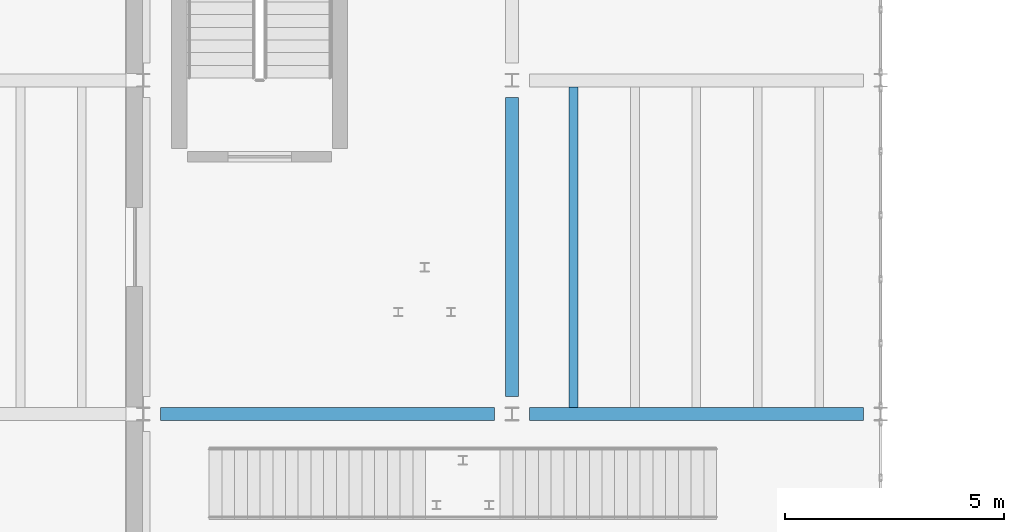
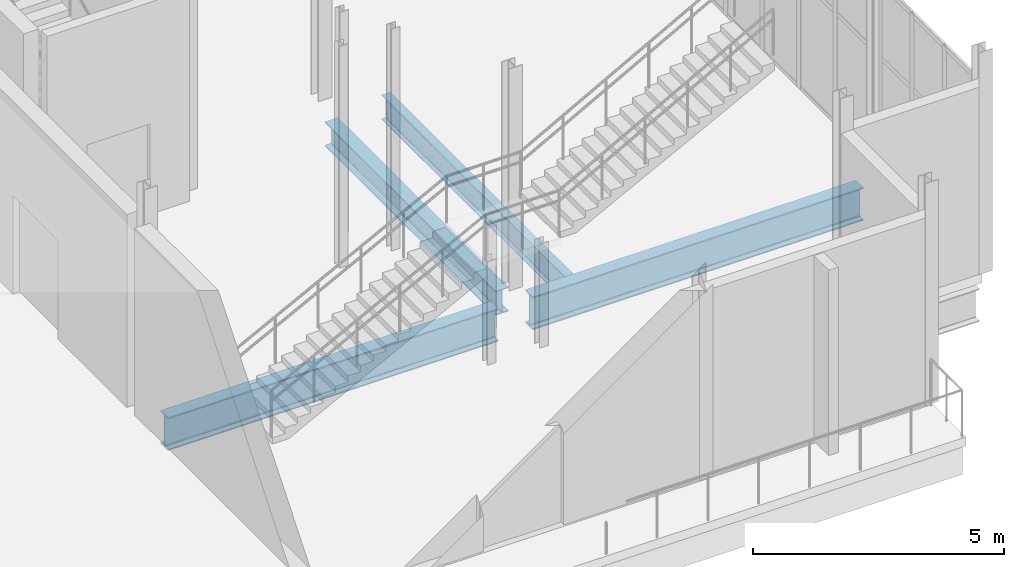
# One storey, part 27 of 95: 4 beams.
"""IFC4 building model written with IfcOpenShell, lengths in metres."""

from ifc_helpers import new_model, si_unit, direction, frame, origin, origin_2d, place, context, subcontext, project, spatial, i_section, extrude, material, material_profile, profile_set, type_object, element, save


model = new_model("IFC4")

# Units and contexts
model_context = context("Model", 3, precision=1e-05, world=origin(), true_north=direction((0.0, 1.0)))
body_context = subcontext(model_context, "Body", "Model", "MODEL_VIEW")
ifc_project = project(units=[si_unit("LENGTHUNIT", "METRE"), si_unit("AREAUNIT", "SQUARE_METRE"), si_unit("VOLUMEUNIT", "CUBIC_METRE"), si_unit("PLANEANGLEUNIT", "RADIAN"), si_unit("MASSUNIT", "GRAM", prefix="KILO")], contexts=[model_context])

# Site, building, storey
site_placement = place(None, origin())
site = spatial("IfcSite", under=ifc_project, at=site_placement, CompositionType="ELEMENT")
building_placement = place(site_placement, origin())
building = spatial("IfcBuilding", under=site, at=building_placement, Name="Shengluoqiao Park Theatre", CompositionType="ELEMENT")
storey_placement = place(building_placement, origin())
storey = spatial("IfcBuildingStorey", under=building, at=storey_placement, Name="L00", CompositionType="ELEMENT", Elevation=0.0)

# Beams
ifc_material_1 = material(Name="Steel Q355", Category="steel")
ifc_material_profile_1 = material_profile(ifc_material_1, i_section(OverallWidth=0.300048828125, OverallDepth=0.587890625, WebThickness=0.011962890625, FlangeThickness=0.02001953125, FilletRadius=0.02392578125, at=origin_2d()), Name="HM 588x300x12x20")
ifc_profile_set_1 = profile_set([ifc_material_profile_1], Name="Steel Q355")
beam_type_1 = type_object("IfcBeamType", Name="STR-BM-G-HM588", PredefinedType="BEAM", material=ifc_profile_set_1)
beam_1_placement = place(storey_placement, frame((36.0, 7.993896484375, -0.634033203125), z_axis=(0.0, 1.0, 0.0), x_axis=(-1.0, 0.0, 0.0)))
element("IfcBeam", 1, at=beam_1_placement, inside=storey, type_object=beam_type_1, Name="L00 Transverse Girder 00213", PredefinedType="BEAM", context=body_context, shape_type="SweptSolid", body=[
    extrude(i_section(OverallWidth=0.300048828125, OverallDepth=0.587890625, WebThickness=0.011962890625, FlangeThickness=0.02001953125, FilletRadius=0.02392578125, at=origin_2d()), origin(), (0.0, 0.0, 1.0), 6.81201171875),
])
ifc_material_2 = material(Name="Steel Q390", Category="steel")
ifc_material_profile_2 = material_profile(ifc_material_2, i_section(OverallWidth=0.300048828125, OverallDepth=0.800048828125, WebThickness=0.013916015625, FlangeThickness=0.02587890625, FilletRadius=0.02587890625, at=origin_2d()), Name="HN 800x300x14x26")
ifc_profile_set_2 = profile_set([ifc_material_profile_2], Name="Steel Q390")
beam_type_2 = type_object("IfcBeamType", Name="STR-BM-G-HN800", PredefinedType="BEAM", material=ifc_profile_set_2)
for number, where, z_axis, x_axis, name in (
    (2, (27.993896484375, 7.60009765625, -0.739990234375), (1.0, 0.0, 0.0), (0.0, 1.0, 0.0), "L00 Primary Girder 00210"),
    (3, (36.39404296875, 7.60009765625, -0.739990234375), (1.0, 0.0, 0.0), (0.0, 1.0, 0.0), "L00 Primary Girder 00211"),
):
    element("IfcBeam", number, at=place(storey_placement, frame(where, z_axis=z_axis, x_axis=x_axis)), inside=storey, type_object=beam_type_2, Name=name, PredefinedType="BEAM", context=body_context, shape_type="SweptSolid", body=[
        extrude(i_section(OverallWidth=0.300048828125, OverallDepth=0.800048828125, WebThickness=0.013916015625, FlangeThickness=0.02587890625, FilletRadius=0.02587890625, at=origin_2d()), origin(), (0.0, 0.0, 1.0), 7.612060546875),
    ])
ifc_material_profile_3 = material_profile(ifc_material_1, i_section(OverallWidth=0.199951171875, OverallDepth=0.60009765625, WebThickness=0.010986328125, FlangeThickness=0.01708984375, FilletRadius=0.02001953125, at=origin_2d()), Name="HN 600x200x11x17")
ifc_profile_set_3 = profile_set([ifc_material_profile_3], Name="Steel Q355")
beam_type_3 = type_object("IfcBeamType", Name="STR-BM-J-HN600", PredefinedType="JOIST", material=ifc_profile_set_3)
beam_2_placement = place(storey_placement, frame((37.39990234375, 7.7451171875, -0.639892578125), z_axis=(0.0, 1.0, 0.0), x_axis=(-1.0, 0.0, 0.0)))
element("IfcBeam", 4, at=beam_2_placement, inside=storey, type_object=beam_type_3, Name="L00 Composite Joist 00215", PredefinedType="JOIST", context=body_context, shape_type="SweptSolid", body=[
    extrude(i_section(OverallWidth=0.199951171875, OverallDepth=0.60009765625, WebThickness=0.010986328125, FlangeThickness=0.01708984375, FilletRadius=0.02001953125, at=origin_2d()), origin(), (0.0, 0.0, 1.0), 7.309814453125),
])

save(model, "model.ifc")
